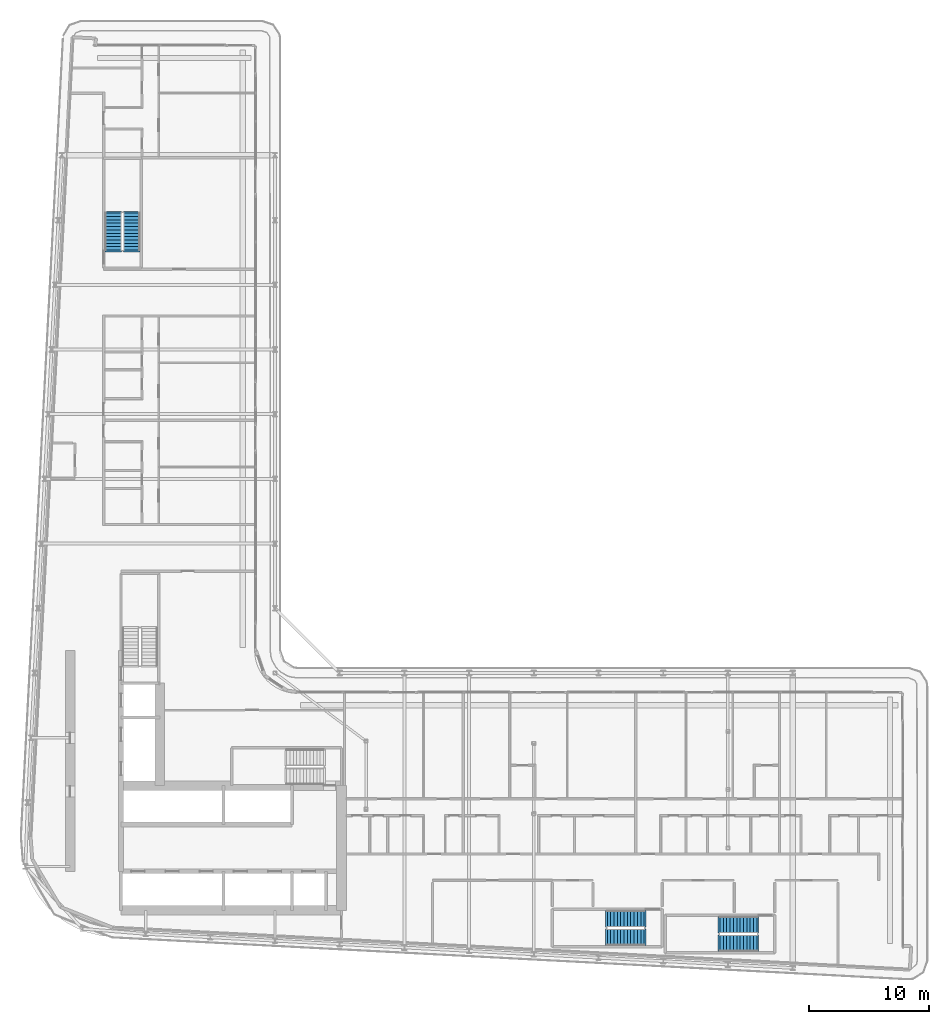
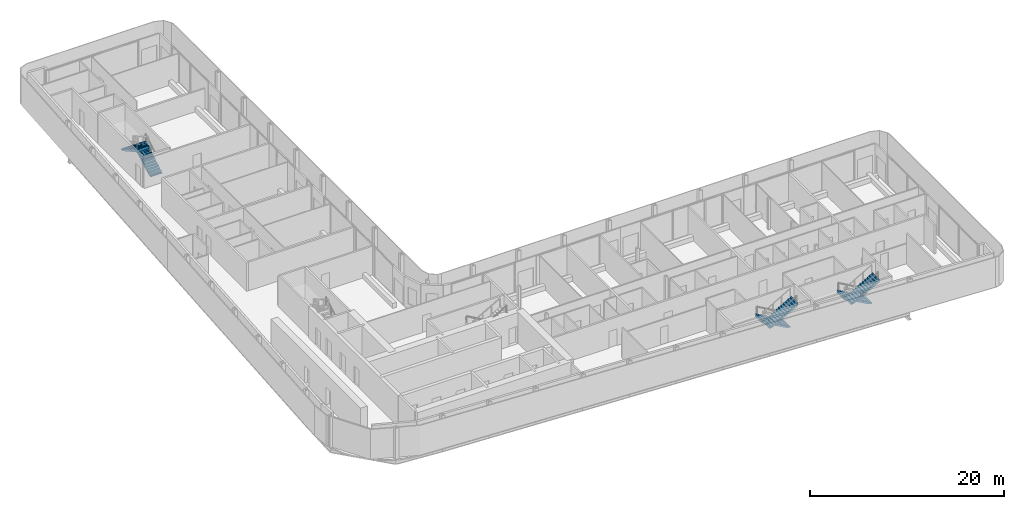
# One storey, part 22 of 29: 6 stair flights, 3 elements without a shape of their own.
"""IFC4 building model written with IfcOpenShell, lengths in metres."""

from ifc_helpers import new_model, si_unit, direction, frame, origin, place, context, subcontext, project, spatial, polyline, outline, extrude, material, layer, layer_set, type_object, element, aggregate, save


model = new_model("IFC4")

# Units and contexts
model_context = context("Model", 3, precision=1e-05, world=origin(), true_north=direction((0.0, 1.0)))
body_context = subcontext(model_context, "Body", "Model", "MODEL_VIEW")
ifc_project = project(units=[si_unit("LENGTHUNIT", "METRE"), si_unit("AREAUNIT", "SQUARE_METRE"), si_unit("VOLUMEUNIT", "CUBIC_METRE"), si_unit("PLANEANGLEUNIT", "RADIAN"), si_unit("MASSUNIT", "GRAM", prefix="KILO")], contexts=[model_context])

# Site, building, storey
site_placement = place(None, origin())
site = spatial("IfcSite", under=ifc_project, at=site_placement, CompositionType="ELEMENT")
building_placement = place(site_placement, origin())
building = spatial("IfcBuilding", under=site, at=building_placement, Name="Kheshtan School and Residences Tower", CompositionType="ELEMENT")
storey_placement = place(building_placement, frame((0.0, 0.0, 179.89990234375)))
storey = spatial("IfcBuildingStorey", under=building, at=storey_placement, Name="L42", CompositionType="ELEMENT", Elevation=179.89990234375)

# Stair, stair flights
ifc_material = material(Name="Concrete C40/50", Category="concrete")
stair_type = type_object("IfcStairType", Name="Exit stair, half-turn", PredefinedType="HALF_TURN_STAIR", material=ifc_material)
stair_1_placement = place(storey_placement, origin())
stair_1 = element("IfcStair", 1, at=stair_1_placement, inside=storey, type_object=stair_type, Name="L42 Protected Exit Stair ST3", PredefinedType="HALF_TURN_STAIR")
ifc_layer = layer(ifc_material, 0.14990234375)
ifc_layer_set = layer_set([ifc_layer], Name="Stair flight 1400 Concrete C40/50")
stair_flight_type = type_object("IfcStairFlightType", Name="Stair flight 1400 Concrete C40/50", PredefinedType="STRAIGHT", material=ifc_layer_set)
stair_flight_1_placement = place(storey_placement, frame((35.64990234375, 80.89990234375, 0.0), z_axis=(0.0, 0.0, 1.0), x_axis=(0.0, 1.0, 0.0)))
stair_flight_1 = element("IfcStairFlight", 2, at=stair_flight_1_placement, type_object=stair_flight_type, Name="ST3 flight 1", NumberOfRisers=12, NumberOfTreads=11, PredefinedType="STRAIGHT", RiserHeight=0.1625, TreadLength=0.28, context=body_context, shape_type="SweptSolid", body=[
    extrude(outline(polyline([(-0.14990234375, -0.10009765625), (-0.14990234375, 0.0), (0.0, 0.0), (0.0, 0.16259765625), (0.280029296875, 0.16259765625), (0.280029296875, 0.324951171875), (0.56005859375, 0.324951171875), (0.56005859375, 0.487548828125), (0.840087890625, 0.487548828125), (0.840087890625, 0.64990234375), (1.1201171875, 0.64990234375), (1.1201171875, 0.8125), (1.39990234375, 0.8125), (1.39990234375, 0.97509765625), (1.679931640625, 0.97509765625), (1.679931640625, 1.137451171875), (1.9599609375, 1.137451171875), (1.9599609375, 1.300048828125), (2.239990234375, 1.300048828125), (2.239990234375, 1.46240234375), (2.52001953125, 1.46240234375), (2.52001953125, 1.625), (2.800048828125, 1.625), (2.800048828125, 1.78759765625), (3.080078125, 1.78759765625), (3.080078125, 1.949951171875), (3.080078125, 1.969970703125), (3.22998046875, 1.969970703125), (3.22998046875, 1.6142578125), (0.298583984375, 0.0), (-0.14990234375, -0.10009765625)])), frame((0.0, 0.699951171875, 0.0), z_axis=(0.0, -1.0, 0.0), x_axis=(1.0, 0.0, 0.0)), (0.0, 0.0, 1.0), 1.39990234375),
])
stair_flight_2_placement = place(storey_placement, frame((34.10009765625, 83.97998046875, 1.9501953125), z_axis=(0.0, 0.0, 1.0), x_axis=(0.0, -1.0, 0.0)))
stair_flight_2 = element("IfcStairFlight", 3, at=stair_flight_2_placement, type_object=stair_flight_type, Name="ST3 flight 2", NumberOfRisers=12, NumberOfTreads=11, PredefinedType="STRAIGHT", RiserHeight=0.1625, TreadLength=0.28, context=body_context, shape_type="SweptSolid", body=[
    extrude(outline(polyline([(-0.14990234375, -0.10009765625), (-0.14990234375, 0.0), (0.0, 0.0), (0.0, 0.16259765625), (0.280029296875, 0.16259765625), (0.280029296875, 0.324951171875), (0.56005859375, 0.324951171875), (0.56005859375, 0.487548828125), (0.840087890625, 0.487548828125), (0.840087890625, 0.64990234375), (1.1201171875, 0.64990234375), (1.1201171875, 0.8125), (1.39990234375, 0.8125), (1.39990234375, 0.97509765625), (1.679931640625, 0.97509765625), (1.679931640625, 1.137451171875), (1.9599609375, 1.137451171875), (1.9599609375, 1.300048828125), (2.239990234375, 1.300048828125), (2.239990234375, 1.46240234375), (2.52001953125, 1.46240234375), (2.52001953125, 1.625), (2.800048828125, 1.625), (2.800048828125, 1.78759765625), (3.080078125, 1.78759765625), (3.080078125, 1.949951171875), (3.080078125, 1.969970703125), (3.22998046875, 1.969970703125), (3.22998046875, 1.6142578125), (0.298583984375, 0.0), (-0.14990234375, -0.10009765625)])), frame((0.0, 0.699951171875, 0.0), z_axis=(0.0, -1.0, 0.0), x_axis=(1.0, 0.0, 0.0)), (0.0, 0.0, 1.0), 1.39990234375),
])
aggregate(stair_1, [stair_flight_1, stair_flight_2])

stair_2_placement = place(storey_placement, origin())
stair_2 = element("IfcStair", 4, at=stair_2_placement, inside=storey, type_object=stair_type, Name="L42 Protected Exit Stair ST4", PredefinedType="HALF_TURN_STAIR")
stair_flight_3_placement = place(storey_placement, frame((87.820068359375, 24.60009765625, 0.0), z_axis=(0.0, 0.0, 1.0), x_axis=(-1.0, 0.0, 0.0)))
stair_flight_3 = element("IfcStairFlight", 5, at=stair_flight_3_placement, type_object=stair_flight_type, Name="ST4 flight 1", NumberOfRisers=12, NumberOfTreads=11, PredefinedType="STRAIGHT", RiserHeight=0.1625, TreadLength=0.28, context=body_context, shape_type="SweptSolid", body=[
    extrude(outline(polyline([(-0.14990234375, -0.10009765625), (-0.14990234375, 0.0), (0.0, 0.0), (0.0, 0.16259765625), (0.280029296875, 0.16259765625), (0.280029296875, 0.324951171875), (0.56005859375, 0.324951171875), (0.56005859375, 0.487548828125), (0.840087890625, 0.487548828125), (0.840087890625, 0.64990234375), (1.1201171875, 0.64990234375), (1.1201171875, 0.8125), (1.39990234375, 0.8125), (1.39990234375, 0.97509765625), (1.679931640625, 0.97509765625), (1.679931640625, 1.137451171875), (1.9599609375, 1.137451171875), (1.9599609375, 1.300048828125), (2.239990234375, 1.300048828125), (2.239990234375, 1.46240234375), (2.52001953125, 1.46240234375), (2.52001953125, 1.625), (2.800048828125, 1.625), (2.800048828125, 1.78759765625), (3.080078125, 1.78759765625), (3.080078125, 1.949951171875), (3.080078125, 1.969970703125), (3.22998046875, 1.969970703125), (3.22998046875, 1.6142578125), (0.298583984375, 0.0), (-0.14990234375, -0.10009765625)])), frame((0.0, 0.699951171875, 0.0), z_axis=(0.0, -1.0, 0.0), x_axis=(1.0, 0.0, 0.0)), (0.0, 0.0, 1.0), 1.39990234375),
])
stair_flight_4_placement = place(storey_placement, frame((84.739990234375, 23.050048828125, 1.9501953125), z_axis=(0.0, 0.0, 1.0), x_axis=(1.0, 0.0, 0.0)))
stair_flight_4 = element("IfcStairFlight", 6, at=stair_flight_4_placement, type_object=stair_flight_type, Name="ST4 flight 2", NumberOfRisers=12, NumberOfTreads=11, PredefinedType="STRAIGHT", RiserHeight=0.1625, TreadLength=0.28, context=body_context, shape_type="SweptSolid", body=[
    extrude(outline(polyline([(-0.14990234375, -0.10009765625), (-0.14990234375, 0.0), (0.0, 0.0), (0.0, 0.16259765625), (0.280029296875, 0.16259765625), (0.280029296875, 0.324951171875), (0.56005859375, 0.324951171875), (0.56005859375, 0.487548828125), (0.840087890625, 0.487548828125), (0.840087890625, 0.64990234375), (1.1201171875, 0.64990234375), (1.1201171875, 0.8125), (1.39990234375, 0.8125), (1.39990234375, 0.97509765625), (1.679931640625, 0.97509765625), (1.679931640625, 1.137451171875), (1.9599609375, 1.137451171875), (1.9599609375, 1.300048828125), (2.239990234375, 1.300048828125), (2.239990234375, 1.46240234375), (2.52001953125, 1.46240234375), (2.52001953125, 1.625), (2.800048828125, 1.625), (2.800048828125, 1.78759765625), (3.080078125, 1.78759765625), (3.080078125, 1.949951171875), (3.080078125, 1.969970703125), (3.22998046875, 1.969970703125), (3.22998046875, 1.6142578125), (0.298583984375, 0.0), (-0.14990234375, -0.10009765625)])), frame((0.0, 0.699951171875, 0.0), z_axis=(0.0, -1.0, 0.0), x_axis=(1.0, 0.0, 0.0)), (0.0, 0.0, 1.0), 1.39990234375),
])
aggregate(stair_2, [stair_flight_3, stair_flight_4])

stair_3_placement = place(storey_placement, origin())
stair_3 = element("IfcStair", 7, at=stair_3_placement, inside=storey, type_object=stair_type, Name="L42 Protected Exit Stair ST5", PredefinedType="HALF_TURN_STAIR")
stair_flight_5_placement = place(storey_placement, frame((78.409912109375, 25.10009765625, 0.0), z_axis=(0.0, 0.0, 1.0), x_axis=(-1.0, 0.0, 0.0)))
stair_flight_5 = element("IfcStairFlight", 8, at=stair_flight_5_placement, type_object=stair_flight_type, Name="ST5 flight 1", NumberOfRisers=12, NumberOfTreads=11, PredefinedType="STRAIGHT", RiserHeight=0.1625, TreadLength=0.28, context=body_context, shape_type="SweptSolid", body=[
    extrude(outline(polyline([(-0.14990234375, -0.10009765625), (-0.14990234375, 0.0), (0.0, 0.0), (0.0, 0.16259765625), (0.280029296875, 0.16259765625), (0.280029296875, 0.324951171875), (0.56005859375, 0.324951171875), (0.56005859375, 0.487548828125), (0.840087890625, 0.487548828125), (0.840087890625, 0.64990234375), (1.1201171875, 0.64990234375), (1.1201171875, 0.8125), (1.39990234375, 0.8125), (1.39990234375, 0.97509765625), (1.679931640625, 0.97509765625), (1.679931640625, 1.137451171875), (1.9599609375, 1.137451171875), (1.9599609375, 1.300048828125), (2.239990234375, 1.300048828125), (2.239990234375, 1.46240234375), (2.52001953125, 1.46240234375), (2.52001953125, 1.625), (2.800048828125, 1.625), (2.800048828125, 1.78759765625), (3.080078125, 1.78759765625), (3.080078125, 1.949951171875), (3.080078125, 1.969970703125), (3.22998046875, 1.969970703125), (3.22998046875, 1.6142578125), (0.298583984375, 0.0), (-0.14990234375, -0.10009765625)])), frame((0.0, 0.699951171875, 0.0), z_axis=(0.0, -1.0, 0.0), x_axis=(1.0, 0.0, 0.0)), (0.0, 0.0, 1.0), 1.39990234375),
])
stair_flight_6_placement = place(storey_placement, frame((75.330078125, 23.550048828125, 1.9501953125), z_axis=(0.0, 0.0, 1.0), x_axis=(1.0, 0.0, 0.0)))
stair_flight_6 = element("IfcStairFlight", 9, at=stair_flight_6_placement, type_object=stair_flight_type, Name="ST5 flight 2", NumberOfRisers=12, NumberOfTreads=11, PredefinedType="STRAIGHT", RiserHeight=0.1625, TreadLength=0.28, context=body_context, shape_type="SweptSolid", body=[
    extrude(outline(polyline([(-0.14990234375, -0.10009765625), (-0.14990234375, 0.0), (0.0, 0.0), (0.0, 0.16259765625), (0.280029296875, 0.16259765625), (0.280029296875, 0.324951171875), (0.56005859375, 0.324951171875), (0.56005859375, 0.487548828125), (0.840087890625, 0.487548828125), (0.840087890625, 0.64990234375), (1.1201171875, 0.64990234375), (1.1201171875, 0.8125), (1.39990234375, 0.8125), (1.39990234375, 0.97509765625), (1.679931640625, 0.97509765625), (1.679931640625, 1.137451171875), (1.9599609375, 1.137451171875), (1.9599609375, 1.300048828125), (2.239990234375, 1.300048828125), (2.239990234375, 1.46240234375), (2.52001953125, 1.46240234375), (2.52001953125, 1.625), (2.800048828125, 1.625), (2.800048828125, 1.78759765625), (3.080078125, 1.78759765625), (3.080078125, 1.949951171875), (3.080078125, 1.969970703125), (3.22998046875, 1.969970703125), (3.22998046875, 1.6142578125), (0.298583984375, 0.0), (-0.14990234375, -0.10009765625)])), frame((0.0, 0.699951171875, 0.0), z_axis=(0.0, -1.0, 0.0), x_axis=(1.0, 0.0, 0.0)), (0.0, 0.0, 1.0), 1.39990234375),
])
aggregate(stair_3, [stair_flight_5, stair_flight_6])

save(model, "model.ifc")
